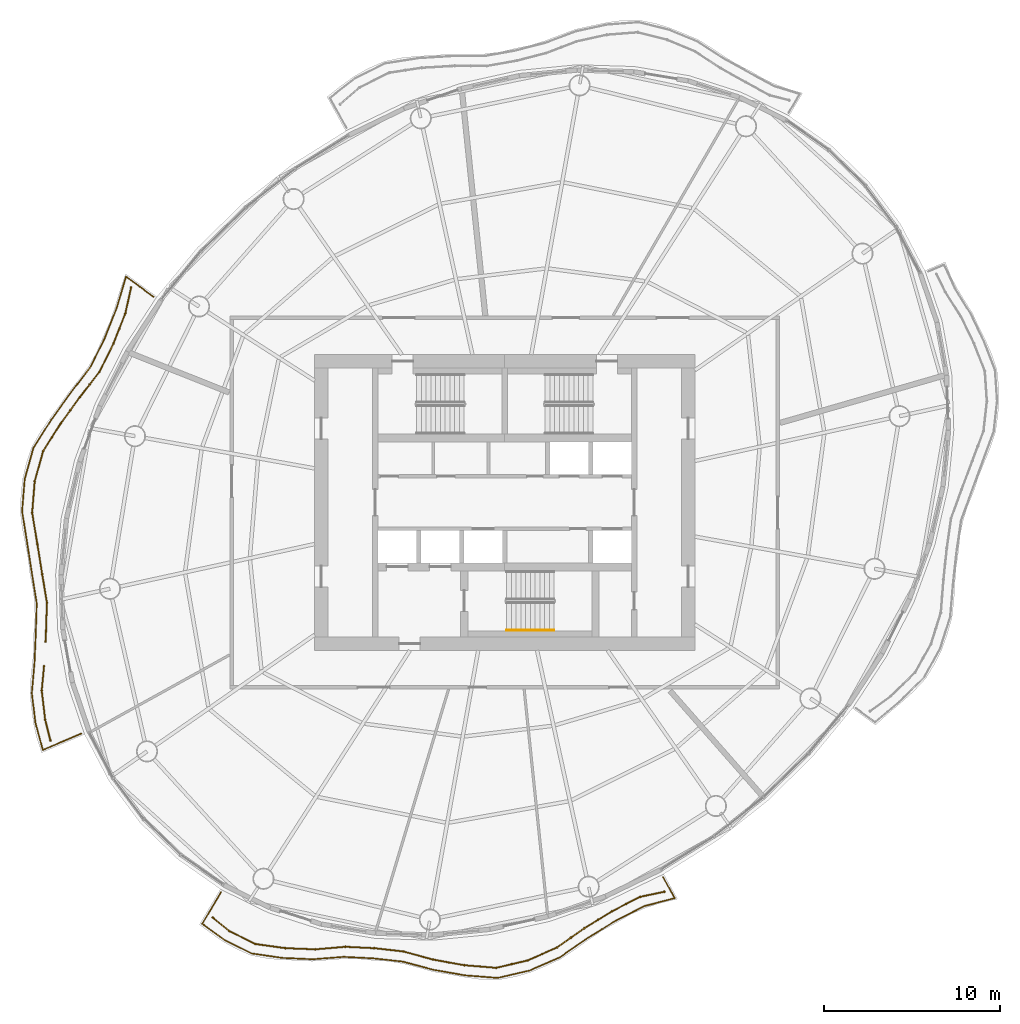
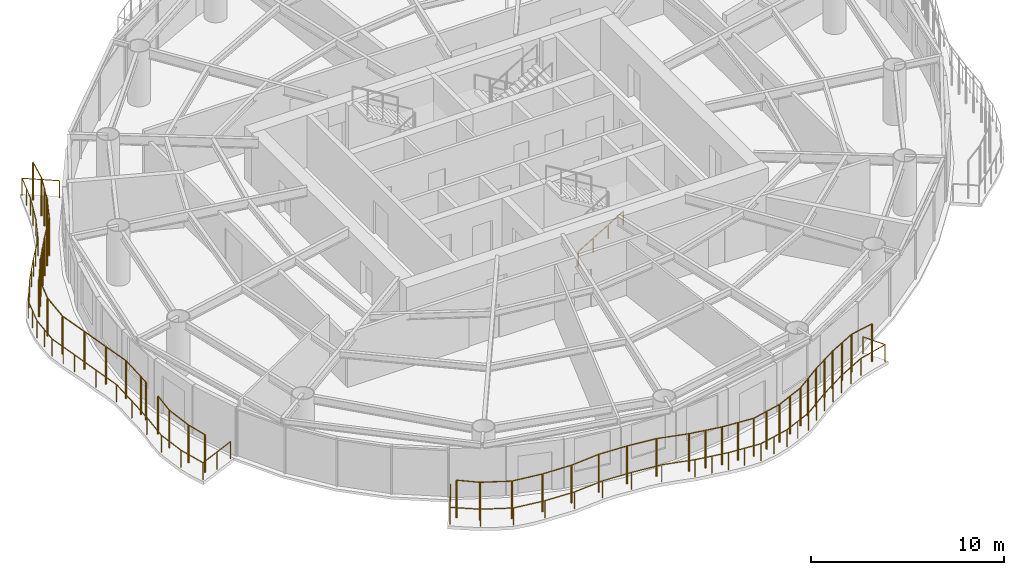
# One storey, part 12 of 14: 6 railings.
"""IFC4 building model written with IfcOpenShell, lengths in metres."""

from ifc_helpers import new_model, si_unit, direction, frame, origin, origin_2d, place, context, subcontext, project, spatial, circle, extrude, material, type_object, element, save


model = new_model("IFC4")

# Units and contexts
model_context = context("Model", 3, precision=1e-05, world=origin(), true_north=direction((0.0, 1.0)))
body_context = subcontext(model_context, "Body", "Model", "MODEL_VIEW")
ifc_project = project(units=[si_unit("LENGTHUNIT", "METRE"), si_unit("AREAUNIT", "SQUARE_METRE"), si_unit("VOLUMEUNIT", "CUBIC_METRE"), si_unit("PLANEANGLEUNIT", "RADIAN"), si_unit("MASSUNIT", "GRAM", prefix="KILO")], contexts=[model_context])

# Site, building, storey
site_placement = place(None, origin())
site = spatial("IfcSite", under=ifc_project, at=site_placement, CompositionType="ELEMENT")
building_placement = place(site_placement, origin())
building = spatial("IfcBuilding", under=site, at=building_placement, Name="Vermilion Reach Broadcast Tower", CompositionType="ELEMENT")
storey_placement = place(building_placement, frame((0.0, 0.0, 199.300048828125)))
storey = spatial("IfcBuildingStorey", under=building, at=storey_placement, Name="L48", CompositionType="ELEMENT", Elevation=199.300048828125)

# Railings
ifc_material_1 = material(Name="Terracotta baguette", Category="masonry")
railing_type_1 = type_object("IfcRailingType", Name="BAGUETTE SCREEN", PredefinedType="USERDEFINED", material=ifc_material_1)
railing_1_placement = place(storey_placement, frame((-27.222412109375, 12.209716796875, 0.0)))
element("IfcRailing", 1, at=railing_1_placement, inside=storey, type_object=railing_type_1, Name="Baguette screen L48 group 2 part 1", ObjectType="BAGUETTE SCREEN", PredefinedType="USERDEFINED", context=body_context, shape_type="SweptSolid", body=[
    extrude(circle(Radius=0.030029296875, at=origin_2d()), frame((0.0, 0.0, 2.369873046875), z_axis=(-0.217274839097, -0.97611046726, 0.0), x_axis=(0.97611046726, -0.217274839097, 0.0)), (0.0, 0.0, 1.0), 1.501220703125),
    extrude(circle(Radius=0.030029296875, at=origin_2d()), frame((-0.326171875, -1.46533203125, 2.369873046875), z_axis=(-0.365816159366, -0.930687131933, 0.0), x_axis=(0.930687131933, -0.365816159366, 0.0)), (0.0, 0.0, 1.0), 1.8447265625),
    extrude(circle(Radius=0.030029296875, at=origin_2d()), frame((-1.0009765625, -3.18212890625, 2.369873046875), z_axis=(-0.442430124645, -0.896802979927, 0.0), x_axis=(0.896802979927, -0.442430124645, 0.0)), (0.0, 0.0, 1.0), 1.778564453125),
    extrude(circle(Radius=0.030029296875, at=origin_2d()), frame((-1.787841796875, -4.777099609375, 2.369873046875), z_axis=(-0.611993197357, -0.790863026313, 0.0), x_axis=(0.790863026313, -0.611993197357, 0.0)), (0.0, 0.0, 1.0), 1.8330078125),
    extrude(circle(Radius=0.030029296875, at=origin_2d()), frame((-2.90966796875, -6.226806640625, 2.369873046875), z_axis=(-0.588511686641, -0.808488710303, 0.0), x_axis=(0.808488710303, -0.588511686641, 0.0)), (0.0, 0.0, 1.0), 1.835693359375),
    extrude(circle(Radius=0.030029296875, at=origin_2d()), frame((-3.989990234375, -7.7109375, 2.369873046875), z_axis=(-0.537070141014, -0.843537588748, 0.0), x_axis=(0.843537588748, -0.537070141014, 0.0)), (0.0, 0.0, 1.0), 1.866455078125),
    extrude(circle(Radius=0.030029296875, at=origin_2d()), frame((-4.992431640625, -9.285400390625, 2.369873046875), z_axis=(-0.270218564493, -0.962799006752, 0.0), x_axis=(0.962799006752, -0.270218564493, 0.0)), (0.0, 0.0, 1.0), 1.784423828125),
    extrude(circle(Radius=0.030029296875, at=origin_2d()), frame((-5.474609375, -11.00341796875, 2.369873046875), z_axis=(-0.080199036271, -0.99677886945, 0.0), x_axis=(0.99677886945, -0.080199036271, 0.0)), (0.0, 0.0, 1.0), 1.796142578125),
    extrude(circle(Radius=0.030029296875, at=origin_2d()), frame((-5.61865234375, -12.793701171875, 2.369873046875), z_axis=(0.163627593889, -0.986522179435, 0.0), x_axis=(0.986522179435, 0.163627593889, 0.0)), (0.0, 0.0, 1.0), 1.79638671875),
    extrude(circle(Radius=0.030029296875, at=origin_2d()), frame((-5.32470703125, -14.56591796875, 2.369873046875), z_axis=(0.158626688032, -0.9873386318, 0.0), x_axis=(0.9873386318, 0.158626688032, 0.0)), (0.0, 0.0, 1.0), 1.736083984375),
    extrude(circle(Radius=0.030029296875, at=origin_2d()), frame((-5.04931640625, -16.280029296875, 2.369873046875), z_axis=(0.162887357017, -0.98664467207, 0.0), x_axis=(0.98664467207, 0.162887357017, 0.0)), (0.0, 0.0, 1.0), 1.650146484375),
    extrude(circle(Radius=0.030029296875, at=origin_2d()), frame((-4.780517578125, -17.908203125, 2.369873046875), z_axis=(-0.033270121864, -0.999446396257, 0.0), x_axis=(0.999446396257, -0.033270121864, 0.0)), (0.0, 0.0, 1.0), 1.636474609375),
    extrude(circle(Radius=0.030029296875, at=origin_2d()), frame((-4.8349609375, -19.543701171875, 2.369873046875), z_axis=(-0.0477315921, -0.998860197983, 0.0), x_axis=(0.998860197983, -0.0477315921, 0.0)), (0.0, 0.0, 1.0), 0.5576171875),
    extrude(circle(Radius=0.050048828125, at=origin_2d()), origin(), (0.0, 0.0, 1.0), 2.33984375),
    extrude(circle(Radius=0.050048828125, at=origin_2d()), frame((-0.326171875, -1.46533203125, 0.0)), (0.0, 0.0, 1.0), 2.33984375),
    extrude(circle(Radius=0.050048828125, at=origin_2d()), frame((-0.66357421875, -2.32373046875, 0.0)), (0.0, 0.0, 1.0), 2.33984375),
    extrude(circle(Radius=0.050048828125, at=origin_2d()), frame((-1.0009765625, -3.18212890625, 0.0)), (0.0, 0.0, 1.0), 2.33984375),
    extrude(circle(Radius=0.050048828125, at=origin_2d()), frame((-1.787841796875, -4.777099609375, 0.0)), (0.0, 0.0, 1.0), 2.33984375),
    extrude(circle(Radius=0.050048828125, at=origin_2d()), frame((-2.3486328125, -5.501953125, 0.0)), (0.0, 0.0, 1.0), 2.33984375),
    extrude(circle(Radius=0.050048828125, at=origin_2d()), frame((-2.90966796875, -6.226806640625, 0.0)), (0.0, 0.0, 1.0), 2.33984375),
    extrude(circle(Radius=0.050048828125, at=origin_2d()), frame((-3.44970703125, -6.96875, 0.0)), (0.0, 0.0, 1.0), 2.33984375),
    extrude(circle(Radius=0.050048828125, at=origin_2d()), frame((-3.989990234375, -7.7109375, 0.0)), (0.0, 0.0, 1.0), 2.33984375),
    extrude(circle(Radius=0.050048828125, at=origin_2d()), frame((-4.4912109375, -8.498046875, 0.0)), (0.0, 0.0, 1.0), 2.33984375),
    extrude(circle(Radius=0.050048828125, at=origin_2d()), frame((-4.992431640625, -9.285400390625, 0.0)), (0.0, 0.0, 1.0), 2.33984375),
    extrude(circle(Radius=0.050048828125, at=origin_2d()), frame((-5.474609375, -11.00341796875, 0.0)), (0.0, 0.0, 1.0), 2.33984375),
    extrude(circle(Radius=0.050048828125, at=origin_2d()), frame((-5.61865234375, -12.793701171875, 0.0)), (0.0, 0.0, 1.0), 2.33984375),
    extrude(circle(Radius=0.050048828125, at=origin_2d()), frame((-5.32470703125, -14.56591796875, 0.0)), (0.0, 0.0, 1.0), 2.33984375),
    extrude(circle(Radius=0.050048828125, at=origin_2d()), frame((-5.04931640625, -16.280029296875, 0.0)), (0.0, 0.0, 1.0), 2.33984375),
    extrude(circle(Radius=0.050048828125, at=origin_2d()), frame((-4.780517578125, -17.908203125, 0.0)), (0.0, 0.0, 1.0), 2.33984375),
    extrude(circle(Radius=0.050048828125, at=origin_2d()), frame((-4.8349609375, -19.543701171875, 0.0)), (0.0, 0.0, 1.0), 2.33984375),
    extrude(circle(Radius=0.050048828125, at=origin_2d()), frame((-4.861572265625, -20.1005859375, 0.0)), (0.0, 0.0, 1.0), 2.33984375),
])
railing_2_placement = place(storey_placement, frame((-32.167236328125, -9.301513671875, 0.0)))
element("IfcRailing", 2, at=railing_2_placement, inside=storey, type_object=railing_type_1, Name="Baguette screen L48 group 2 part 2", ObjectType="BAGUETTE SCREEN", PredefinedType="USERDEFINED", context=body_context, shape_type="SweptSolid", body=[
    extrude(circle(Radius=0.030029296875, at=origin_2d()), frame((0.0, 0.0, 2.369873046875), z_axis=(-0.094659635221, -0.995509695312, 0.0), x_axis=(0.995509695312, -0.094659635221, 0.0)), (0.0, 0.0, 1.0), 1.3876953125),
    extrude(circle(Radius=0.030029296875, at=origin_2d()), frame((-0.13134765625, -1.38134765625, 2.369873046875), z_axis=(0.117164954057, -0.99311246772, 0.0), x_axis=(0.99311246772, 0.117164954057, 0.0)), (0.0, 0.0, 1.0), 1.662841796875),
    extrude(circle(Radius=0.030029296875, at=origin_2d()), frame((0.0634765625, -3.03271484375, 2.369873046875), z_axis=(0.243289389673, -0.969953747801, 0.0), x_axis=(0.969953747801, 0.243289389673, 0.0)), (0.0, 0.0, 1.0), 1.21923828125),
    extrude(circle(Radius=0.050048828125, at=origin_2d()), origin(), (0.0, 0.0, 1.0), 2.33984375),
    extrude(circle(Radius=0.050048828125, at=origin_2d()), frame((-0.13134765625, -1.38134765625, 0.0)), (0.0, 0.0, 1.0), 2.33984375),
    extrude(circle(Radius=0.050048828125, at=origin_2d()), frame((0.0634765625, -3.03271484375, 0.0)), (0.0, 0.0, 1.0), 2.33984375),
    extrude(circle(Radius=0.050048828125, at=origin_2d()), frame((0.360107421875, -4.21533203125, 0.0)), (0.0, 0.0, 1.0), 2.33984375),
])
railing_3_placement = place(storey_placement, frame((-22.586669921875, -23.572998046875, 0.0)))
element("IfcRailing", 3, at=railing_3_placement, inside=storey, type_object=railing_type_1, Name="Baguette screen L48 group 3", ObjectType="BAGUETTE SCREEN", PredefinedType="USERDEFINED", context=body_context, shape_type="SweptSolid", body=[
    extrude(circle(Radius=0.030029296875, at=origin_2d()), frame((0.0, 0.0, 2.369873046875), z_axis=(0.774810949742, -0.632193002303, 0.0), x_axis=(0.632193002303, 0.774810949742, 0.0)), (0.0, 0.0, 1.0), 1.22216796875),
    extrude(circle(Radius=0.030029296875, at=origin_2d()), frame((0.947021484375, -0.772705078125, 2.369873046875), z_axis=(0.897238029169, -0.441547187754, 0.0), x_axis=(0.441547187754, 0.897238029169, 0.0)), (0.0, 0.0, 1.0), 1.656982421875),
    extrude(circle(Radius=0.030029296875, at=origin_2d()), frame((2.433837890625, -1.50439453125, 2.369873046875), z_axis=(0.990489038208, -0.137591661045, 0.0), x_axis=(0.137591661045, 0.990489038208, 0.0)), (0.0, 0.0, 1.0), 1.714111328125),
    extrude(circle(Radius=0.030029296875, at=origin_2d()), frame((4.131591796875, -1.740234375, 2.369873046875), z_axis=(0.999234276738, -0.039126208495, 0.0), x_axis=(0.039126208495, 0.999234276738, 0.0)), (0.0, 0.0, 1.0), 1.69091796875),
    extrude(circle(Radius=0.030029296875, at=origin_2d()), frame((5.8212890625, -1.806396484375, 2.369873046875), z_axis=(0.996461178687, 0.084054264433, 0.0), x_axis=(-0.084054264433, 0.996461178687, 0.0)), (0.0, 0.0, 1.0), 1.722412109375),
    extrude(circle(Radius=0.030029296875, at=origin_2d()), frame((7.53759765625, -1.66162109375, 2.369873046875), z_axis=(0.998812705836, -0.048715281583, 0.0), x_axis=(0.048715281583, 0.998812705836, 0.0)), (0.0, 0.0, 1.0), 1.6337890625),
    extrude(circle(Radius=0.030029296875, at=origin_2d()), frame((9.16943359375, -1.7412109375, 2.369873046875), z_axis=(0.993822959193, -0.110977140801, 0.0), x_axis=(0.110977140801, 0.993822959193, 0.0)), (0.0, 0.0, 1.0), 1.669677734375),
    extrude(circle(Radius=0.030029296875, at=origin_2d()), frame((10.828857421875, -1.926513671875, 2.369873046875), z_axis=(0.964514896162, -0.264028436125, 0.0), x_axis=(0.264028436125, 0.964514896162, 0.0)), (0.0, 0.0, 1.0), 1.745849609375),
    extrude(circle(Radius=0.030029296875, at=origin_2d()), frame((12.5126953125, -2.387451171875, 2.369873046875), z_axis=(0.98413242962, -0.177435512146, 0.0), x_axis=(0.177435512146, 0.98413242962, 0.0)), (0.0, 0.0, 1.0), 1.80810546875),
    extrude(circle(Radius=0.030029296875, at=origin_2d()), frame((14.2919921875, -2.708251953125, 2.369873046875), z_axis=(0.996650695775, -0.081776467346, 0.0), x_axis=(0.081776467346, 0.996650695775, 0.0)), (0.0, 0.0, 1.0), 1.815185546875),
    extrude(circle(Radius=0.030029296875, at=origin_2d()), frame((16.10107421875, -2.856689453125, 2.369873046875), z_axis=(0.973703955968, 0.227817045307, 0.0), x_axis=(-0.227817045307, 0.973703955968, 0.0)), (0.0, 0.0, 1.0), 1.826171875),
    extrude(circle(Radius=0.030029296875, at=origin_2d()), frame((17.879150390625, -2.440673828125, 2.369873046875), z_axis=(0.914857059303, 0.403777861011, 0.0), x_axis=(-0.403777861011, 0.914857059303, 0.0)), (0.0, 0.0, 1.0), 1.833984375),
    extrude(circle(Radius=0.030029296875, at=origin_2d()), frame((19.556884765625, -1.7001953125, 2.369873046875), z_axis=(0.817900160283, 0.575360172248, 0.0), x_axis=(-0.575360172248, 0.817900160283, 0.0)), (0.0, 0.0, 1.0), 1.906494140625),
    extrude(circle(Radius=0.030029296875, at=origin_2d()), frame((21.1162109375, -0.603271484375, 2.369873046875), z_axis=(0.851727345806, 0.52398523682, 0.0), x_axis=(-0.52398523682, 0.851727345806, 0.0)), (0.0, 0.0, 1.0), 1.8212890625),
    extrude(circle(Radius=0.030029296875, at=origin_2d()), frame((22.66748046875, 0.35107421875, 2.369873046875), z_axis=(0.890146256236, 0.455674930745, 0.0), x_axis=(-0.455674930745, 0.890146256236, 0.0)), (0.0, 0.0, 1.0), 1.8076171875),
    extrude(circle(Radius=0.030029296875, at=origin_2d()), frame((24.276611328125, 1.1748046875, 2.369873046875), z_axis=(0.978551617048, 0.206001778567, 0.0), x_axis=(-0.206001778567, 0.978551617048, 0.0)), (0.0, 0.0, 1.0), 1.413818359375),
    extrude(circle(Radius=0.050048828125, at=origin_2d()), origin(), (0.0, 0.0, 1.0), 2.33984375),
    extrude(circle(Radius=0.050048828125, at=origin_2d()), frame((0.947021484375, -0.772705078125, 0.0)), (0.0, 0.0, 1.0), 2.33984375),
    extrude(circle(Radius=0.050048828125, at=origin_2d()), frame((2.433837890625, -1.50439453125, 0.0)), (0.0, 0.0, 1.0), 2.33984375),
    extrude(circle(Radius=0.050048828125, at=origin_2d()), frame((4.131591796875, -1.740234375, 0.0)), (0.0, 0.0, 1.0), 2.33984375),
    extrude(circle(Radius=0.050048828125, at=origin_2d()), frame((5.8212890625, -1.806396484375, 0.0)), (0.0, 0.0, 1.0), 2.33984375),
    extrude(circle(Radius=0.050048828125, at=origin_2d()), frame((7.53759765625, -1.66162109375, 0.0)), (0.0, 0.0, 1.0), 2.33984375),
    extrude(circle(Radius=0.050048828125, at=origin_2d()), frame((9.16943359375, -1.7412109375, 0.0)), (0.0, 0.0, 1.0), 2.33984375),
    extrude(circle(Radius=0.050048828125, at=origin_2d()), frame((10.828857421875, -1.926513671875, 0.0)), (0.0, 0.0, 1.0), 2.33984375),
    extrude(circle(Radius=0.050048828125, at=origin_2d()), frame((12.5126953125, -2.387451171875, 0.0)), (0.0, 0.0, 1.0), 2.33984375),
    extrude(circle(Radius=0.050048828125, at=origin_2d()), frame((13.40234375, -2.5478515625, 0.0)), (0.0, 0.0, 1.0), 2.33984375),
    extrude(circle(Radius=0.050048828125, at=origin_2d()), frame((14.2919921875, -2.708251953125, 0.0)), (0.0, 0.0, 1.0), 2.33984375),
    extrude(circle(Radius=0.050048828125, at=origin_2d()), frame((15.196533203125, -2.782470703125, 0.0)), (0.0, 0.0, 1.0), 2.33984375),
    extrude(circle(Radius=0.050048828125, at=origin_2d()), frame((16.10107421875, -2.856689453125, 0.0)), (0.0, 0.0, 1.0), 2.33984375),
    extrude(circle(Radius=0.050048828125, at=origin_2d()), frame((16.990234375, -2.648681640625, 0.0)), (0.0, 0.0, 1.0), 2.33984375),
    extrude(circle(Radius=0.050048828125, at=origin_2d()), frame((17.879150390625, -2.440673828125, 0.0)), (0.0, 0.0, 1.0), 2.33984375),
    extrude(circle(Radius=0.050048828125, at=origin_2d()), frame((18.718017578125, -2.0703125, 0.0)), (0.0, 0.0, 1.0), 2.33984375),
    extrude(circle(Radius=0.050048828125, at=origin_2d()), frame((19.556884765625, -1.7001953125, 0.0)), (0.0, 0.0, 1.0), 2.33984375),
    extrude(circle(Radius=0.050048828125, at=origin_2d()), frame((20.33642578125, -1.15185546875, 0.0)), (0.0, 0.0, 1.0), 2.33984375),
    extrude(circle(Radius=0.050048828125, at=origin_2d()), frame((21.1162109375, -0.603271484375, 0.0)), (0.0, 0.0, 1.0), 2.33984375),
    extrude(circle(Radius=0.050048828125, at=origin_2d()), frame((21.891845703125, -0.1259765625, 0.0)), (0.0, 0.0, 1.0), 2.33984375),
    extrude(circle(Radius=0.050048828125, at=origin_2d()), frame((22.66748046875, 0.35107421875, 0.0)), (0.0, 0.0, 1.0), 2.33984375),
    extrude(circle(Radius=0.050048828125, at=origin_2d()), frame((23.47216796875, 0.762939453125, 0.0)), (0.0, 0.0, 1.0), 2.33984375),
    extrude(circle(Radius=0.050048828125, at=origin_2d()), frame((24.276611328125, 1.1748046875, 0.0)), (0.0, 0.0, 1.0), 2.33984375),
    extrude(circle(Radius=0.050048828125, at=origin_2d()), frame((25.66015625, 1.466064453125, 0.0)), (0.0, 0.0, 1.0), 2.33984375),
])
ifc_material_2 = material(Name="Stainless steel 316 balustrade", Category="steel")
railing_type_2 = type_object("IfcRailingType", Name="Balcony guard 1100", PredefinedType="BALUSTRADE", material=ifc_material_2)
railing_4_placement = place(storey_placement, frame((-25.943115234375, 11.678466796875, 0.0)))
element("IfcRailing", 4, at=railing_4_placement, inside=storey, type_object=railing_type_2, Name="Balcony guard L48 group 2", PredefinedType="BALUSTRADE", context=body_context, shape_type="SweptSolid", body=[
    extrude(circle(Radius=0.02490234375, at=origin_2d()), frame((0.0, 0.0, 1.0751953125), z_axis=(-0.805721539897, 0.592294521455, 0.0), x_axis=(-0.592294521455, -0.805721539897, 0.0)), (0.0, 0.0, 1.0), 1.943603515625),
    extrude(circle(Radius=0.02490234375, at=origin_2d()), frame((-1.56591796875, 1.151123046875, 1.0751953125), z_axis=(-0.284638210095, -0.958635013628, 0.0), x_axis=(0.958635013628, -0.284638210095, 0.0)), (0.0, 0.0, 1.0), 1.843994140625),
    extrude(circle(Radius=0.02490234375, at=origin_2d()), frame((-2.0908203125, -0.61669921875, 1.0751953125), z_axis=(-0.368720665981, -0.929540246831, 0.0), x_axis=(0.929540246831, -0.368720665981, 0.0)), (0.0, 0.0, 1.0), 1.877197265625),
    extrude(circle(Radius=0.02490234375, at=origin_2d()), frame((-2.782958984375, -2.361572265625, 1.0751953125), z_axis=(-0.443002419177, -0.896520416167, 0.0), x_axis=(0.896520416167, -0.443002419177, 0.0)), (0.0, 0.0, 1.0), 1.81103515625),
    extrude(circle(Radius=0.02490234375, at=origin_2d()), frame((-3.585205078125, -3.985107421875, 1.0751953125), z_axis=(-0.608837931576, -0.793294631946, 0.0), x_axis=(0.793294631946, -0.608837931576, 0.0)), (0.0, 0.0, 1.0), 1.8662109375),
    extrude(circle(Radius=0.02490234375, at=origin_2d()), frame((-4.721435546875, -5.465576171875, 1.0751953125), z_axis=(-0.584841563641, -0.8111475485, 0.0), x_axis=(0.8111475485, -0.584841563641, 0.0)), (0.0, 0.0, 1.0), 1.868408203125),
    extrude(circle(Radius=0.02490234375, at=origin_2d()), frame((-5.814208984375, -6.981201171875, 1.0751953125), z_axis=(-0.533205004352, -0.845986065686, 0.0), x_axis=(0.845986065686, -0.533205004352, 0.0)), (0.0, 0.0, 1.0), 1.900634765625),
    extrude(circle(Radius=0.02490234375, at=origin_2d()), frame((-6.82763671875, -8.589111328125, 1.0751953125), z_axis=(-0.270022967841, -0.962853881354, 0.0), x_axis=(0.962853881354, -0.270022967841, 0.0)), (0.0, 0.0, 1.0), 1.820068359375),
    extrude(circle(Radius=0.02490234375, at=origin_2d()), frame((-7.319091796875, -10.341552734375, 1.0751953125), z_axis=(-0.082439259694, -0.996596090932, 0.0), x_axis=(0.996596090932, -0.082439259694, 0.0)), (0.0, 0.0, 1.0), 1.833251953125),
    extrude(circle(Radius=0.02490234375, at=origin_2d()), frame((-7.47021484375, -12.16845703125, 1.0751953125), z_axis=(0.157782600053, -0.98747387364, 0.0), x_axis=(0.98747387364, 0.157782600053, 0.0)), (0.0, 0.0, 1.0), 1.83203125),
    extrude(circle(Radius=0.02490234375, at=origin_2d()), frame((-7.18115234375, -13.9775390625, 1.0751953125), z_axis=(0.153701035137, -0.988117397781, 0.0), x_axis=(0.988117397781, 0.153701035137, 0.0)), (0.0, 0.0, 1.0), 1.774169921875),
    extrude(circle(Radius=0.02490234375, at=origin_2d()), frame((-6.908447265625, -15.730712890625, 1.0751953125), z_axis=(0.159309705388, -0.987228655261, 0.0), x_axis=(0.987228655261, 0.159309705388, 0.0)), (0.0, 0.0, 1.0), 1.688720703125),
    extrude(circle(Radius=0.02490234375, at=origin_2d()), frame((-6.639404296875, -17.39794921875, 1.0751953125), z_axis=(-0.030707701507, -0.999528407334, 0.0), x_axis=(0.999528407334, -0.030707701507, 0.0)), (0.0, 0.0, 1.0), 1.677490234375),
    extrude(circle(Radius=0.02490234375, at=origin_2d()), frame((-6.69091796875, -19.07470703125, 1.0751953125), z_axis=(-0.043108576734, -0.999070393222, 0.0), x_axis=(0.999070393222, -0.043108576734, 0.0)), (0.0, 0.0, 1.0), 1.67626953125),
    extrude(circle(Radius=0.02490234375, at=origin_2d()), frame((-6.76318359375, -20.74951171875, 1.0751953125), z_axis=(-0.087203008738, -0.996190561724, 0.0), x_axis=(0.996190561724, -0.087203008738, 0.0)), (0.0, 0.0, 1.0), 1.763916015625),
    extrude(circle(Radius=0.02490234375, at=origin_2d()), frame((-6.9169921875, -22.506591796875, 1.0751953125), z_axis=(0.12139151851, -0.992604704419, 0.0), x_axis=(0.992604704419, 0.12139151851, 0.0)), (0.0, 0.0, 1.0), 1.70556640625),
    extrude(circle(Radius=0.02490234375, at=origin_2d()), frame((-6.7099609375, -24.199462890625, 1.0751953125), z_axis=(0.263143341603, -0.96475674746, 0.0), x_axis=(0.96475674746, 0.263143341603, 0.0)), (0.0, 0.0, 1.0), 1.593017578125),
    extrude(circle(Radius=0.02490234375, at=origin_2d()), frame((-6.290771484375, -25.736328125, 1.0751953125), z_axis=(0.919076135062, 0.394080014666, 0.0), x_axis=(-0.394080014666, 0.919076135062, 0.0)), (0.0, 0.0, 1.0), 2.38330078125),
    extrude(circle(Radius=0.02490234375, at=origin_2d()), origin(), (0.0, 0.0, 1.0), 1.050048828125),
    extrude(circle(Radius=0.02490234375, at=origin_2d()), frame((-0.782958984375, 0.57568359375, 0.0)), (0.0, 0.0, 1.0), 1.050048828125),
    extrude(circle(Radius=0.02490234375, at=origin_2d()), frame((-1.56591796875, 1.151123046875, 0.0)), (0.0, 0.0, 1.0), 1.050048828125),
    extrude(circle(Radius=0.02490234375, at=origin_2d()), frame((-1.828369140625, 0.26708984375, 0.0)), (0.0, 0.0, 1.0), 1.050048828125),
    extrude(circle(Radius=0.02490234375, at=origin_2d()), frame((-2.0908203125, -0.61669921875, 0.0)), (0.0, 0.0, 1.0), 1.050048828125),
    extrude(circle(Radius=0.02490234375, at=origin_2d()), frame((-2.43701171875, -1.4892578125, 0.0)), (0.0, 0.0, 1.0), 1.050048828125),
    extrude(circle(Radius=0.02490234375, at=origin_2d()), frame((-2.782958984375, -2.361572265625, 0.0)), (0.0, 0.0, 1.0), 1.050048828125),
    extrude(circle(Radius=0.02490234375, at=origin_2d()), frame((-3.18408203125, -3.17333984375, 0.0)), (0.0, 0.0, 1.0), 1.050048828125),
    extrude(circle(Radius=0.02490234375, at=origin_2d()), frame((-3.585205078125, -3.985107421875, 0.0)), (0.0, 0.0, 1.0), 1.050048828125),
    extrude(circle(Radius=0.02490234375, at=origin_2d()), frame((-4.1533203125, -4.725341796875, 0.0)), (0.0, 0.0, 1.0), 1.050048828125),
    extrude(circle(Radius=0.02490234375, at=origin_2d()), frame((-4.721435546875, -5.465576171875, 0.0)), (0.0, 0.0, 1.0), 1.050048828125),
    extrude(circle(Radius=0.02490234375, at=origin_2d()), frame((-5.267822265625, -6.223388671875, 0.0)), (0.0, 0.0, 1.0), 1.050048828125),
    extrude(circle(Radius=0.02490234375, at=origin_2d()), frame((-5.814208984375, -6.981201171875, 0.0)), (0.0, 0.0, 1.0), 1.050048828125),
    extrude(circle(Radius=0.02490234375, at=origin_2d()), frame((-6.32080078125, -7.78515625, 0.0)), (0.0, 0.0, 1.0), 1.050048828125),
    extrude(circle(Radius=0.02490234375, at=origin_2d()), frame((-6.82763671875, -8.589111328125, 0.0)), (0.0, 0.0, 1.0), 1.050048828125),
    extrude(circle(Radius=0.02490234375, at=origin_2d()), frame((-7.0732421875, -9.46533203125, 0.0)), (0.0, 0.0, 1.0), 1.050048828125),
    extrude(circle(Radius=0.02490234375, at=origin_2d()), frame((-7.319091796875, -10.341552734375, 0.0)), (0.0, 0.0, 1.0), 1.050048828125),
    extrude(circle(Radius=0.02490234375, at=origin_2d()), frame((-7.39453125, -11.2548828125, 0.0)), (0.0, 0.0, 1.0), 1.050048828125),
    extrude(circle(Radius=0.02490234375, at=origin_2d()), frame((-7.47021484375, -12.16845703125, 0.0)), (0.0, 0.0, 1.0), 1.050048828125),
    extrude(circle(Radius=0.02490234375, at=origin_2d()), frame((-7.32568359375, -13.072998046875, 0.0)), (0.0, 0.0, 1.0), 1.050048828125),
    extrude(circle(Radius=0.02490234375, at=origin_2d()), frame((-7.18115234375, -13.9775390625, 0.0)), (0.0, 0.0, 1.0), 1.050048828125),
    extrude(circle(Radius=0.02490234375, at=origin_2d()), frame((-6.908447265625, -15.730712890625, 0.0)), (0.0, 0.0, 1.0), 1.050048828125),
    extrude(circle(Radius=0.02490234375, at=origin_2d()), frame((-6.639404296875, -17.39794921875, 0.0)), (0.0, 0.0, 1.0), 1.050048828125),
    extrude(circle(Radius=0.02490234375, at=origin_2d()), frame((-6.69091796875, -19.07470703125, 0.0)), (0.0, 0.0, 1.0), 1.050048828125),
    extrude(circle(Radius=0.02490234375, at=origin_2d()), frame((-6.76318359375, -20.74951171875, 0.0)), (0.0, 0.0, 1.0), 1.050048828125),
    extrude(circle(Radius=0.02490234375, at=origin_2d()), frame((-6.9169921875, -22.506591796875, 0.0)), (0.0, 0.0, 1.0), 1.050048828125),
    extrude(circle(Radius=0.02490234375, at=origin_2d()), frame((-6.7099609375, -24.199462890625, 0.0)), (0.0, 0.0, 1.0), 1.050048828125),
    extrude(circle(Radius=0.02490234375, at=origin_2d()), frame((-6.290771484375, -25.736328125, 0.0)), (0.0, 0.0, 1.0), 1.050048828125),
    extrude(circle(Radius=0.02490234375, at=origin_2d()), frame((-5.195556640625, -25.2666015625, 0.0)), (0.0, 0.0, 1.0), 1.050048828125),
    extrude(circle(Radius=0.02490234375, at=origin_2d()), frame((-4.100341796875, -24.797119140625, 0.0)), (0.0, 0.0, 1.0), 1.050048828125),
])
railing_5_placement = place(storey_placement, frame((-22.12158203125, -22.142333984375, 0.0)))
element("IfcRailing", 5, at=railing_5_placement, inside=storey, type_object=railing_type_2, Name="Balcony guard L48 group 3", PredefinedType="BALUSTRADE", context=body_context, shape_type="SweptSolid", body=[
    extrude(circle(Radius=0.02490234375, at=origin_2d()), frame((0.0, 0.0, 1.0751953125), z_axis=(-0.509708790685, -0.860346993194, 0.0), x_axis=(0.860346993194, -0.509708790685, 0.0)), (0.0, 0.0, 1.0), 2.073486328125),
    extrude(circle(Radius=0.02490234375, at=origin_2d()), frame((-1.056884765625, -1.783935546875, 1.0751953125), z_axis=(0.80669289643, -0.590970871405, 0.0), x_axis=(0.590970871405, 0.80669289643, 0.0)), (0.0, 0.0, 1.0), 1.590087890625),
    extrude(circle(Radius=0.02490234375, at=origin_2d()), frame((0.225830078125, -2.7236328125, 1.0751953125), z_axis=(0.897649018921, -0.440711060481, 0.0), x_axis=(0.440711060481, 0.897649018921, 0.0)), (0.0, 0.0, 1.0), 1.7001953125),
    extrude(circle(Radius=0.02490234375, at=origin_2d()), frame((1.751953125, -3.472900390625, 1.0751953125), z_axis=(0.989759580691, -0.142744430469, 0.0), x_axis=(0.142744430469, 0.989759580691, 0.0)), (0.0, 0.0, 1.0), 1.756591796875),
    extrude(circle(Radius=0.02490234375, at=origin_2d()), frame((3.490478515625, -3.7236328125, 1.0751953125), z_axis=(0.999006564846, -0.044563251622, 0.0), x_axis=(0.044563251622, 0.999006564846, 0.0)), (0.0, 0.0, 1.0), 1.731201171875),
    extrude(circle(Radius=0.02490234375, at=origin_2d()), frame((5.219970703125, -3.80078125, 1.0751953125), z_axis=(0.996995506055, 0.077459414577, 0.0), x_axis=(-0.077459414577, 0.996995506055, 0.0)), (0.0, 0.0, 1.0), 1.761962890625),
    extrude(circle(Radius=0.02490234375, at=origin_2d()), frame((6.9765625, -3.664306640625, 1.0751953125), z_axis=(0.998716785353, -0.050643683256, 0.0), x_axis=(0.050643683256, 0.998716785353, 0.0)), (0.0, 0.0, 1.0), 1.6728515625),
    extrude(circle(Radius=0.02490234375, at=origin_2d()), frame((8.647216796875, -3.7490234375, 1.0751953125), z_axis=(0.993946297753, -0.109866997696, 0.0), x_axis=(0.109866997696, 0.993946297753, 0.0)), (0.0, 0.0, 1.0), 1.708740234375),
    extrude(circle(Radius=0.02490234375, at=origin_2d()), frame((10.345703125, -3.936767578125, 1.0751953125), z_axis=(0.965961503104, -0.258685860689, 0.0), x_axis=(0.258685860689, 0.965961503104, 0.0)), (0.0, 0.0, 1.0), 1.78173828125),
    extrude(circle(Radius=0.02490234375, at=origin_2d()), frame((12.06689453125, -4.397705078125, 1.0751953125), z_axis=(0.984962953635, -0.172765679367, 0.0), x_axis=(0.172765679367, 0.984962953635, 0.0)), (0.0, 0.0, 1.0), 1.84423828125),
    extrude(circle(Radius=0.02490234375, at=origin_2d()), frame((13.88330078125, -4.71630859375, 1.0751953125), z_axis=(0.996973979473, -0.077735990721, 0.0), x_axis=(0.077735990721, 0.996973979473, 0.0)), (0.0, 0.0, 1.0), 1.849853515625),
    extrude(circle(Radius=0.02490234375, at=origin_2d()), frame((15.7275390625, -4.860107421875, 1.0751953125), z_axis=(0.97388472856, 0.227043025608, 0.0), x_axis=(-0.227043025608, 0.97388472856, 0.0)), (0.0, 0.0, 1.0), 1.861328125),
    extrude(circle(Radius=0.02490234375, at=origin_2d()), frame((17.540283203125, -4.4375, 1.0751953125), z_axis=(0.916040279857, 0.401086282089, 0.0), x_axis=(-0.401086282089, 0.916040279857, 0.0)), (0.0, 0.0, 1.0), 1.867431640625),
    extrude(circle(Radius=0.02490234375, at=origin_2d()), frame((19.2509765625, -3.6884765625, 1.0751953125), z_axis=(0.820902635161, 0.571068177704, 0.0), x_axis=(-0.571068177704, 0.820902635161, 0.0)), (0.0, 0.0, 1.0), 1.938720703125),
    extrude(circle(Radius=0.02490234375, at=origin_2d()), frame((20.842529296875, -2.581298828125, 1.0751953125), z_axis=(0.853480403228, 0.521124938288, 0.0), x_axis=(-0.521124938288, 0.853480403228, 0.0)), (0.0, 0.0, 1.0), 1.853271484375),
    extrude(circle(Radius=0.02490234375, at=origin_2d()), frame((22.42431640625, -1.615478515625, 1.0751953125), z_axis=(0.890574399819, 0.454837595618, 0.0), x_axis=(-0.454837595618, 0.890574399819, 0.0)), (0.0, 0.0, 1.0), 1.840576171875),
    extrude(circle(Radius=0.02490234375, at=origin_2d()), frame((24.0634765625, -0.7783203125, 1.0751953125), z_axis=(0.967146086425, 0.254221257003, 0.0), x_axis=(-0.254221257003, 0.967146086425, 0.0)), (0.0, 0.0, 1.0), 1.76708984375),
    extrude(circle(Radius=0.02490234375, at=origin_2d()), frame((25.7724609375, -0.3291015625, 1.0751953125), z_axis=(-0.483096432496, 0.875567151571, 0.0), x_axis=(-0.875567151571, -0.483096432496, 0.0)), (0.0, 0.0, 1.0), 1.352294921875),
    extrude(circle(Radius=0.02490234375, at=origin_2d()), origin(), (0.0, 0.0, 1.0), 1.050048828125),
    extrude(circle(Radius=0.02490234375, at=origin_2d()), frame((-0.5283203125, -0.89208984375, 0.0)), (0.0, 0.0, 1.0), 1.050048828125),
    extrude(circle(Radius=0.02490234375, at=origin_2d()), frame((-1.056884765625, -1.783935546875, 0.0)), (0.0, 0.0, 1.0), 1.050048828125),
    extrude(circle(Radius=0.02490234375, at=origin_2d()), frame((0.225830078125, -2.7236328125, 0.0)), (0.0, 0.0, 1.0), 1.050048828125),
    extrude(circle(Radius=0.02490234375, at=origin_2d()), frame((1.751953125, -3.472900390625, 0.0)), (0.0, 0.0, 1.0), 1.050048828125),
    extrude(circle(Radius=0.02490234375, at=origin_2d()), frame((3.490478515625, -3.7236328125, 0.0)), (0.0, 0.0, 1.0), 1.050048828125),
    extrude(circle(Radius=0.02490234375, at=origin_2d()), frame((5.219970703125, -3.80078125, 0.0)), (0.0, 0.0, 1.0), 1.050048828125),
    extrude(circle(Radius=0.02490234375, at=origin_2d()), frame((6.9765625, -3.664306640625, 0.0)), (0.0, 0.0, 1.0), 1.050048828125),
    extrude(circle(Radius=0.02490234375, at=origin_2d()), frame((8.647216796875, -3.7490234375, 0.0)), (0.0, 0.0, 1.0), 1.050048828125),
    extrude(circle(Radius=0.02490234375, at=origin_2d()), frame((10.345703125, -3.936767578125, 0.0)), (0.0, 0.0, 1.0), 1.050048828125),
    extrude(circle(Radius=0.02490234375, at=origin_2d()), frame((12.06689453125, -4.397705078125, 0.0)), (0.0, 0.0, 1.0), 1.050048828125),
    extrude(circle(Radius=0.02490234375, at=origin_2d()), frame((12.97509765625, -4.55712890625, 0.0)), (0.0, 0.0, 1.0), 1.050048828125),
    extrude(circle(Radius=0.02490234375, at=origin_2d()), frame((13.88330078125, -4.71630859375, 0.0)), (0.0, 0.0, 1.0), 1.050048828125),
    extrude(circle(Radius=0.02490234375, at=origin_2d()), frame((14.805419921875, -4.7880859375, 0.0)), (0.0, 0.0, 1.0), 1.050048828125),
    extrude(circle(Radius=0.02490234375, at=origin_2d()), frame((15.7275390625, -4.860107421875, 0.0)), (0.0, 0.0, 1.0), 1.050048828125),
    extrude(circle(Radius=0.02490234375, at=origin_2d()), frame((16.6337890625, -4.64892578125, 0.0)), (0.0, 0.0, 1.0), 1.050048828125),
    extrude(circle(Radius=0.02490234375, at=origin_2d()), frame((17.540283203125, -4.4375, 0.0)), (0.0, 0.0, 1.0), 1.050048828125),
    extrude(circle(Radius=0.02490234375, at=origin_2d()), frame((18.3955078125, -4.06298828125, 0.0)), (0.0, 0.0, 1.0), 1.050048828125),
    extrude(circle(Radius=0.02490234375, at=origin_2d()), frame((19.2509765625, -3.6884765625, 0.0)), (0.0, 0.0, 1.0), 1.050048828125),
    extrude(circle(Radius=0.02490234375, at=origin_2d()), frame((20.046875, -3.134765625, 0.0)), (0.0, 0.0, 1.0), 1.050048828125),
    extrude(circle(Radius=0.02490234375, at=origin_2d()), frame((20.842529296875, -2.581298828125, 0.0)), (0.0, 0.0, 1.0), 1.050048828125),
    extrude(circle(Radius=0.02490234375, at=origin_2d()), frame((21.63330078125, -2.098388671875, 0.0)), (0.0, 0.0, 1.0), 1.050048828125),
    extrude(circle(Radius=0.02490234375, at=origin_2d()), frame((22.42431640625, -1.615478515625, 0.0)), (0.0, 0.0, 1.0), 1.050048828125),
    extrude(circle(Radius=0.02490234375, at=origin_2d()), frame((23.243896484375, -1.19677734375, 0.0)), (0.0, 0.0, 1.0), 1.050048828125),
    extrude(circle(Radius=0.02490234375, at=origin_2d()), frame((24.0634765625, -0.7783203125, 0.0)), (0.0, 0.0, 1.0), 1.050048828125),
    extrude(circle(Radius=0.02490234375, at=origin_2d()), frame((25.7724609375, -0.3291015625, 0.0)), (0.0, 0.0, 1.0), 1.050048828125),
    extrude(circle(Radius=0.02490234375, at=origin_2d()), frame((25.119140625, 0.85498046875, 0.0)), (0.0, 0.0, 1.0), 1.050048828125),
])
ifc_material_3 = material(Name="Stainless steel", Category="steel")
railing_type_3 = type_object("IfcRailingType", Name="Stair handrail", PredefinedType="HANDRAIL", material=ifc_material_3)
railing_6_placement = place(storey_placement, frame((-5.89990234375, -7.25, 0.16357421875)))
element("IfcRailing", 6, at=railing_6_placement, inside=storey, type_object=railing_type_3, Name="L48 ST3 stair handrail 1", PredefinedType="HANDRAIL", context=body_context, shape_type="SweptSolid", body=[
    extrude(circle(Radius=0.02392578125, at=origin_2d()), frame((0.0, 0.0, 0.8759765625), z_axis=(0.855178096276, 0.0, 0.518334277904), x_axis=(0.0, 1.0, 0.0)), (0.0, 0.0, 1.0), 3.1572265625),
    extrude(circle(Radius=0.02099609375, at=origin_2d()), origin(), (0.0, 0.0, 1.0), 0.851806640625),
    extrude(circle(Radius=0.02099609375, at=origin_2d()), frame((0.89990234375, 0.0, 0.54541015625)), (0.0, 0.0, 1.0), 0.851806640625),
    extrude(circle(Radius=0.02099609375, at=origin_2d()), frame((1.800048828125, 0.0, 1.091064453125)), (0.0, 0.0, 1.0), 0.851806640625),
    extrude(circle(Radius=0.02099609375, at=origin_2d()), frame((2.699951171875, 0.0, 1.636474609375)), (0.0, 0.0, 1.0), 0.851806640625),
])

save(model, "model.ifc")
